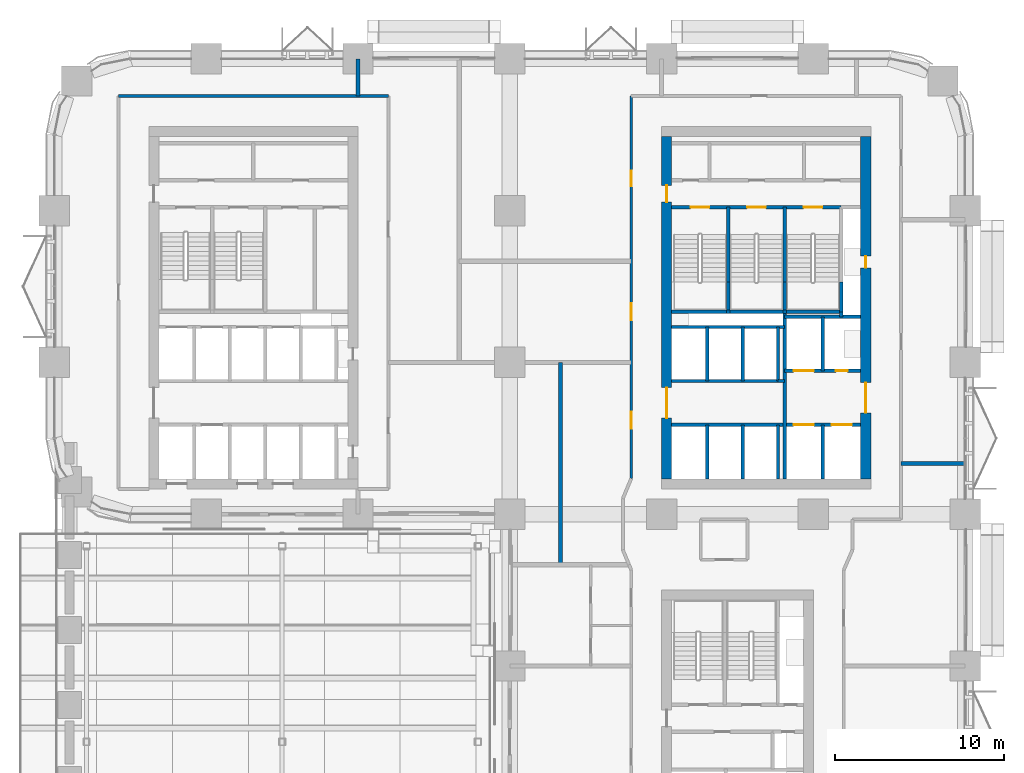
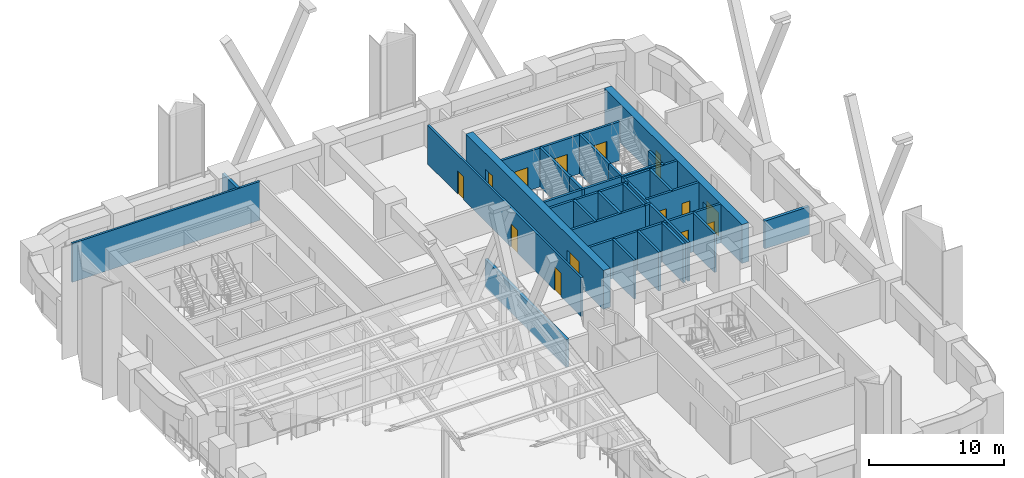
# One storey, part 16 of 22: 34 walls, 14 doors, 14 openings.
"""IFC4 building model written with IfcOpenShell, lengths in metres."""

import ifcopenshell
import ifcopenshell.guid

model = None  # the IFC model being written
_history = None  # IfcOwnerHistory: only IFC2X3 demands one
_inside = {}  # id of a spatial element -> (the spatial element, [elements in it])
_under = {}  # id of a project, library or spatial element -> (it, [spatial elements below it])
_declared = {}  # id of a project -> (the project, [libraries it declares])
_typed = {}  # id of a type object -> (the type object, [elements of that type])
_made_of = {}  # id of a material, layer set ... -> (it, [elements and type objects made of it])


def new_model(schema):
    """Start an empty IFC model of exactly this schema.

    Asked for "IFC4X3", IfcOpenShell would pick the latest addendum, in which some entities
    have other attributes; the version numbers below select the first issue.
    IFC2X3 requires an IfcOwnerHistory on every rooted entity: one is made here for all.
    """
    global model, _history
    if schema == "IFC4X3":
        model = ifcopenshell.file(schema_version=(4, 3, 0, 0))
    else:
        model = ifcopenshell.file(schema=schema)
    _inside.clear()
    _under.clear()
    _declared.clear()
    _typed.clear()
    _made_of.clear()
    _history = None
    if model.schema == "IFC2X3":
        org = make("IfcOrganization", Name="unknown")
        user = make(
            "IfcPersonAndOrganization",
            ThePerson=make("IfcPerson", FamilyName="unknown"),
            TheOrganization=org,
        )
        app = make(
            "IfcApplication",
            ApplicationDeveloper=org,
            Version="unknown",
            ApplicationFullName="unknown",
            ApplicationIdentifier="unknown",
        )
        _history = make(
            "IfcOwnerHistory",
            OwningUser=user,
            OwningApplication=app,
            ChangeAction="ADDED",
            CreationDate=0,
        )
    return model


def make(cls, **values):
    """One entity of the class cls with the attributes given. An attribute that is None is left unset."""
    return model.create_entity(
        cls, **{name: value for name, value in values.items() if value is not None}
    )


def rooted(cls, **values):
    """An entity with a GlobalId (a new one), such as an element, a storey or a relation."""
    return make(cls, GlobalId=ifcopenshell.guid.new(), OwnerHistory=_history, **values)


def si_unit(unit_type, name, prefix=None):
    """IfcSIUnit, for example si_unit("LENGTHUNIT", "METRE", prefix="MILLI")."""
    return make("IfcSIUnit", UnitType=unit_type, Prefix=prefix, Name=name)


def assignment(units):
    """IfcUnitAssignment: the units of a project."""
    return None if units is None else make("IfcUnitAssignment", Units=units)


def point(xyz):
    """IfcCartesianPoint."""
    return None if xyz is None else make("IfcCartesianPoint", Coordinates=xyz)


def direction(xyz):
    """IfcDirection."""
    return None if xyz is None else make("IfcDirection", DirectionRatios=xyz)


def frame(location, z_axis=None, x_axis=None):
    """IfcAxis2Placement3D, a coordinate frame: its origin and axes. An axis left out is left unset."""
    return make(
        "IfcAxis2Placement3D",
        Location=point(location),
        Axis=direction(z_axis),
        RefDirection=direction(x_axis),
    )


def frame_2d(location, x_axis=None):
    """IfcAxis2Placement2D, a coordinate frame in the plane: its origin and x axis."""
    return make(
        "IfcAxis2Placement2D", Location=point(location), RefDirection=direction(x_axis)
    )


def origin():
    """The frame at (0, 0, 0) with its axes left unset."""
    return frame((0.0, 0.0, 0.0))


def place(relative_to, where):
    """IfcLocalPlacement: puts the frame where relative to a parent placement (None: the world)."""
    return make(
        "IfcLocalPlacement", PlacementRelTo=relative_to, RelativePlacement=where
    )


def context(
    kind, dimensions, precision=None, world=None, true_north=None, identifier=None
):
    """IfcGeometricRepresentationContext, for example the 3D "Model" context."""
    return make(
        "IfcGeometricRepresentationContext",
        ContextIdentifier=identifier,
        ContextType=kind,
        CoordinateSpaceDimension=dimensions,
        Precision=precision,
        WorldCoordinateSystem=world,
        TrueNorth=true_north,
    )


def subcontext(parent, identifier, kind, view, scale=None):
    """IfcGeometricRepresentationSubContext, for example "Body" below "Model"."""
    return make(
        "IfcGeometricRepresentationSubContext",
        ContextIdentifier=identifier,
        ContextType=kind,
        ParentContext=parent,
        TargetScale=scale,
        TargetView=view,
    )


def project(units=None, contexts=None):
    """IfcProject with its units and contexts."""
    return rooted(
        "IfcProject",
        Name="project",
        RepresentationContexts=contexts,
        UnitsInContext=assignment(units),
    )


def spatial(cls, under=None, at=None, **own):
    """A site, building, storey or space (cls), placed at a placement, below another one or the project."""
    s = rooted(cls, ObjectPlacement=at, **own)
    if under is not None:
        _under.setdefault(under.id(), (under, []))[1].append(s)
    return s


def profile(cls, at=None, kind="AREA", **sizes):
    """A parametric profile (cls). Its sizes go by their IFC names, for example OverallWidth=200.0."""
    return make(cls, ProfileType=kind, Position=at, **sizes)


def rectangle(**sizes):
    """IfcRectangleProfileDef."""
    return profile("IfcRectangleProfileDef", **sizes)


def extrude(swept, where, along, depth):
    """IfcExtrudedAreaSolid: the profile swept, set in the frame where, extruded along a direction by depth."""
    return make(
        "IfcExtrudedAreaSolid",
        SweptArea=swept,
        Position=where,
        ExtrudedDirection=direction(along),
        Depth=depth,
    )


def shape(context_of_items, identifier, shape_type, items):
    """IfcShapeRepresentation: the items that make up one representation, for example the "Body"."""
    return make(
        "IfcShapeRepresentation",
        ContextOfItems=context_of_items,
        RepresentationIdentifier=identifier,
        RepresentationType=shape_type,
        Items=items,
    )


def material(Name=None, Category=None):
    """IfcMaterial."""
    return make("IfcMaterial", Name=Name, Category=Category)


def layer(
    of_material, thickness, ventilated=None, Name=None, Category=None, Priority=None
):
    """IfcMaterialLayer: one layer of a wall or slab, of a material (None: an air gap)."""
    return make(
        "IfcMaterialLayer",
        Material=of_material,
        LayerThickness=thickness,
        IsVentilated=ventilated,
        Name=Name,
        Category=Category,
        Priority=Priority,
    )


def layer_set(layers, Name=None):
    """IfcMaterialLayerSet."""
    return make("IfcMaterialLayerSet", MaterialLayers=layers, LayerSetName=Name)


def made_of(thing, what):
    """Note that an element or type object is made of a material, layer set ...; save() writes the relation."""
    if what is not None:
        _made_of.setdefault(what.id(), (what, []))[1].append(thing)
    return thing


def type_object(cls, material=None, **own):
    """A type object (cls), such as IfcWallType, which elements share."""
    return made_of(rooted(cls, **own), material)


def element(
    cls,
    number,
    at=None,
    inside=None,
    cuts=None,
    type_object=None,
    material=None,
    context=None,
    identifier="Body",
    shape_type=None,
    held_by="IfcProductDefinitionShape",
    body=None,
    shapes=None,
    **own,
):
    """One element of the class cls, such as IfcWall. Its Tag is "e" and its number.

    at: its placement. inside: the storey or other place that contains it. cuts: it is an
    opening in that element (IfcRelVoidsElement). A single representation is given by context,
    identifier, shape_type and body (its items); several are given by shapes. held_by: the class
    of the entity that holds the representations. save() writes the other relations.
    """
    e = rooted(cls, Tag="e%d" % number, ObjectPlacement=at, **own)
    if body is not None:
        shapes = [shape(context, identifier, shape_type, body)]
    if shapes is not None:
        e.Representation = make(held_by, Representations=shapes)
    if inside is not None:
        _inside.setdefault(inside.id(), (inside, []))[1].append(e)
    if cuts is not None:
        rooted(
            "IfcRelVoidsElement", RelatingBuildingElement=cuts, RelatedOpeningElement=e
        )
    if type_object is not None:
        _typed.setdefault(type_object.id(), (type_object, []))[1].append(e)
    return made_of(e, material)


def fill(opening, filler):
    """IfcRelFillsElement: the door or window that sits in an opening."""
    return rooted(
        "IfcRelFillsElement",
        RelatingOpeningElement=opening,
        RelatedBuildingElement=filler,
    )


def aggregate(whole, parts):
    """IfcRelAggregates: a whole, such as a stair, and the parts it consists of."""
    return rooted("IfcRelAggregates", RelatingObject=whole, RelatedObjects=parts)


def save(model, path):
    """Write the relations noted so far, then the file.

    IfcRelAggregates (storeys below a building ...), IfcRelContainedInSpatialStructure (elements
    in a storey), IfcRelDefinesByType, IfcRelAssociatesMaterial and IfcRelDeclares: one each for
    every whole, place, type object, material and project.
    """
    for whole, parts in _under.values():
        aggregate(whole, parts)
    for where, things in _inside.values():
        rooted(
            "IfcRelContainedInSpatialStructure",
            RelatedElements=things,
            RelatingStructure=where,
        )
    for kind, things in _typed.values():
        rooted("IfcRelDefinesByType", RelatedObjects=things, RelatingType=kind)
    for what, things in _made_of.values():
        rooted("IfcRelAssociatesMaterial", RelatedObjects=things, RelatingMaterial=what)
    for by, libraries in _declared.values():
        rooted("IfcRelDeclares", RelatingContext=by, RelatedDefinitions=libraries)
    model.write(path)


model = new_model("IFC4")

# Units and contexts
model_context = context("Model", 3, precision=1e-05, world=origin(), true_north=direction((0.0, 1.0)))
body_context = subcontext(model_context, "Body", "Model", "MODEL_VIEW")
ifc_project = project(units=[si_unit("LENGTHUNIT", "METRE"), si_unit("AREAUNIT", "SQUARE_METRE"), si_unit("VOLUMEUNIT", "CUBIC_METRE"), si_unit("PLANEANGLEUNIT", "RADIAN"), si_unit("MASSUNIT", "GRAM", prefix="KILO")], contexts=[model_context])

# Site, building, storey
site_placement = place(None, origin())
site = spatial("IfcSite", under=ifc_project, at=site_placement, CompositionType="ELEMENT")
building_placement = place(site_placement, origin())
building = spatial("IfcBuilding", under=site, at=building_placement, Name="Tessera Arch", CompositionType="ELEMENT")
storey_placement = place(building_placement, frame((0.0, 0.0, 77.800048828125)))
storey = spatial("IfcBuildingStorey", under=building, at=storey_placement, Name="L17", CompositionType="ELEMENT", Elevation=77.800048828125)

# Wall
ifc_material_1 = material(Name="Gypsum board on steel stud", Category="steel")
ifc_layer_1 = layer(ifc_material_1, 0.125)
ifc_layer_set_1 = layer_set([ifc_layer_1], Name="Core partition 125 EI 60")
wall_type_1 = type_object("IfcWallType", Name="Core partition 125 EI 60", PredefinedType="PARTITIONING", material=ifc_layer_set_1)
wall_1_placement = place(storey_placement, frame((42.89990234375, 34.89990234375, 0.0), z_axis=(0.0, 0.0, 1.0), x_axis=(1.0, 0.0, 0.0)))
element("IfcWall", 1, at=wall_1_placement, inside=storey, type_object=wall_type_1, Name="L17 C1 partition wall 20", PredefinedType="PARTITIONING", context=body_context, shape_type="SweptSolid", body=[
    extrude(rectangle(XDim=0.400146484375, YDim=0.199951171875, at=frame_2d((0.2001953125, 0.0))), origin(), (0.0, 0.0, 1.0), 3.5),
])

# Wall, openings, doors
ifc_material_2 = material(Name="Concrete C70/85", Category="concrete")
ifc_layer_2 = layer(ifc_material_2, 0.60009765625)
ifc_layer_set_2 = layer_set([ifc_layer_2], Name="Core shell wall 600 C70-85")
wall_type_2 = type_object("IfcWallType", Name="Core shell wall 600 C70-85", PredefinedType="SHEAR", material=ifc_layer_set_2)
wall_2_placement = place(storey_placement, frame((36.300048828125, 29.10009765625, 0.0), z_axis=(0.0, 0.0, 1.0), x_axis=(0.0, 1.0, 0.0)))
wall_2 = element("IfcWall", 2, at=wall_2_placement, inside=storey, type_object=wall_type_2, Name="L17 C1 core wall W", PredefinedType="SHEAR", context=body_context, shape_type="SweptSolid", body=[
    extrude(rectangle(XDim=20.2998046875, YDim=0.60009765625, at=frame_2d((10.14990234375, 0.0))), origin(), (0.0, 0.0, 1.0), 3.5),
])
opening_1_placement = place(wall_2_placement, frame((3.60009765625, 0.0, 0.0)))
opening_1 = element("IfcOpeningElement", 3, at=opening_1_placement, cuts=wall_2, Name="Opening L17-C04", PredefinedType="OPENING", context=body_context, shape_type="SweptSolid", body=[
    extrude(rectangle(XDim=1.800048828125, YDim=2.10009765625, at=frame_2d((0.89990234375, 1.050048828125))), frame((0.0, 0.31005859375, 0.0), z_axis=(0.0, -1.0, 0.0), x_axis=(1.0, 0.0, 0.0)), (0.0, 0.0, 1.0), 0.6201171875),
])
opening_2_placement = place(wall_2_placement, frame((16.39990234375, 0.0, 0.0)))
opening_2 = element("IfcOpeningElement", 4, at=opening_2_placement, cuts=wall_2, Name="Opening L17-C11", PredefinedType="OPENING", context=body_context, shape_type="SweptSolid", body=[
    extrude(rectangle(XDim=1.0, YDim=2.10009765625, at=frame_2d((0.5, 1.050048828125))), frame((0.0, 0.31005859375, 0.0), z_axis=(0.0, -1.0, 0.0), x_axis=(1.0, 0.0, 0.0)), (0.0, 0.0, 1.0), 0.6201171875),
])
ifc_material_3 = material(Name="Steel door leaf", Category="steel")
door_type_1 = type_object("IfcDoorType", Name="Corridor door FD60 1000 x 2100", OperationType="SINGLE_SWING_LEFT", PredefinedType="DOOR", material=ifc_material_3)
door_1_placement = place(opening_2_placement, origin())
door_1 = element("IfcDoor", 5, at=door_1_placement, inside=storey, type_object=door_type_1, Name="L17 C1 door 11 C11 type D12", OperationType="SINGLE_SWING_RIGHT", OverallHeight=2.10009765625, OverallWidth=1.0, PredefinedType="DOOR", context=body_context, shape_type="SweptSolid", body=[
    extrude(rectangle(XDim=1.0, YDim=2.10009765625, at=frame_2d((0.5, 1.050048828125))), frame((0.0, 0.02490234375, 0.0), z_axis=(0.0, -1.0, 0.0), x_axis=(1.0, 0.0, 0.0)), (0.0, 0.0, 1.0), 0.050048828125),
])
fill(opening_2, door_1)
ifc_material_4 = material(Name="Glazed steel door leaf", Category="steel")
door_type_2 = type_object("IfcDoorType", Name="Lobby double door FD30S 1800 x 2100", OperationType="DOUBLE_DOOR_SINGLE_SWING", PredefinedType="DOOR", material=ifc_material_4)
door_2_placement = place(opening_1_placement, origin())
door_2 = element("IfcDoor", 6, at=door_2_placement, inside=storey, type_object=door_type_2, Name="L17 C1 door 4 C04 type D06", OperationType="DOUBLE_DOOR_SINGLE_SWING", OverallHeight=2.10009765625, OverallWidth=1.800048828125, PredefinedType="DOOR", context=body_context, shape_type="SweptSolid", body=[
    extrude(rectangle(XDim=1.800048828125, YDim=2.10009765625, at=frame_2d((0.89990234375, 1.050048828125))), frame((0.0, 0.02490234375, 0.0), z_axis=(0.0, -1.0, 0.0), x_axis=(1.0, 0.0, 0.0)), (0.0, 0.0, 1.0), 0.050048828125),
])
fill(opening_1, door_2)

wall_3_placement = place(storey_placement, frame((48.10009765625, 29.10009765625, 0.0), z_axis=(0.0, 0.0, 1.0), x_axis=(0.0, 1.0, 0.0)))
wall_3 = element("IfcWall", 7, at=wall_3_placement, inside=storey, type_object=wall_type_2, Name="L17 C1 core wall E", PredefinedType="SHEAR", context=body_context, shape_type="SweptSolid", body=[
    extrude(rectangle(XDim=20.2998046875, YDim=0.60009765625, at=frame_2d((10.14990234375, 0.0))), origin(), (0.0, 0.0, 1.0), 3.5),
])
opening_3_placement = place(wall_3_placement, frame((12.5, 0.0, 0.0)))
opening_3 = element("IfcOpeningElement", 8, at=opening_3_placement, cuts=wall_3, Name="Opening L17-C08", PredefinedType="OPENING", context=body_context, shape_type="SweptSolid", body=[
    extrude(rectangle(XDim=0.699951171875, YDim=2.10009765625, at=frame_2d((0.35009765625, 1.050048828125))), frame((0.0, 0.31005859375, 0.0), z_axis=(0.0, -1.0, 0.0), x_axis=(1.0, 0.0, 0.0)), (0.0, 0.0, 1.0), 0.6201171875),
])
opening_4_placement = place(wall_3_placement, frame((3.89990234375, 0.0, 0.0)))
opening_4 = element("IfcOpeningElement", 9, at=opening_4_placement, cuts=wall_3, Name="Opening L17-C09", PredefinedType="OPENING", context=body_context, shape_type="SweptSolid", body=[
    extrude(rectangle(XDim=1.800048828125, YDim=2.10009765625, at=frame_2d((0.89990234375, 1.050048828125))), frame((0.0, 0.31005859375, 0.0), z_axis=(0.0, -1.0, 0.0), x_axis=(1.0, 0.0, 0.0)), (0.0, 0.0, 1.0), 0.6201171875),
])
ifc_material_5 = material(Name="Glazed steel door leaf", Category="steel")
door_type_3 = type_object("IfcDoorType", Name="Lobby double door FD60 1800 x 2100", OperationType="DOUBLE_DOOR_SINGLE_SWING", PredefinedType="DOOR", material=ifc_material_5)
door_3_placement = place(opening_4_placement, origin())
door_3 = element("IfcDoor", 10, at=door_3_placement, inside=storey, type_object=door_type_3, Name="L17 C1 door 9 C09 type D19", OperationType="DOUBLE_DOOR_SINGLE_SWING", OverallHeight=2.10009765625, OverallWidth=1.800048828125, PredefinedType="DOOR", context=body_context, shape_type="SweptSolid", body=[
    extrude(rectangle(XDim=1.800048828125, YDim=2.10009765625, at=frame_2d((0.89990234375, 1.050048828125))), frame((0.0, 0.02490234375, 0.0), z_axis=(0.0, -1.0, 0.0), x_axis=(1.0, 0.0, 0.0)), (0.0, 0.0, 1.0), 0.050048828125),
])
fill(opening_4, door_3)
ifc_material_6 = material(Name="Steel door leaf", Category="steel")
door_type_4 = type_object("IfcDoorType", Name="Service shaft door FD60 700 x 2100", OperationType="SINGLE_SWING_LEFT", PredefinedType="DOOR", material=ifc_material_6)
door_4_placement = place(opening_3_placement, origin())
door_4 = element("IfcDoor", 11, at=door_4_placement, inside=storey, type_object=door_type_4, Name="L17 C1 door 8 C08 type D07", OperationType="SINGLE_SWING_RIGHT", OverallHeight=2.10009765625, OverallWidth=0.699951171875, PredefinedType="DOOR", context=body_context, shape_type="SweptSolid", body=[
    extrude(rectangle(XDim=0.699951171875, YDim=2.10009765625, at=frame_2d((0.35009765625, 1.050048828125))), frame((0.0, 0.02490234375, 0.0), z_axis=(0.0, -1.0, 0.0), x_axis=(1.0, 0.0, 0.0)), (0.0, 0.0, 1.0), 0.050048828125),
])
fill(opening_3, door_4)

# Wall
ifc_material_7 = material(Name="Gypsum board on deep steel stud with mineral wool", Category="steel")
ifc_layer_3 = layer(ifc_material_7, 0.175048828125)
ifc_layer_set_3 = layer_set([ifc_layer_3], Name="Corridor wall 175 EI 60")
wall_type_3 = type_object("IfcWallType", Name="Corridor wall 175 EI 60", PredefinedType="PARTITIONING", material=ifc_layer_set_3)
wall_4_placement = place(storey_placement, frame((3.800048828125, 51.800048828125, 0.0), z_axis=(0.0, 0.0, 1.0), x_axis=(1.0, 0.0, 0.0)))
element("IfcWall", 12, at=wall_4_placement, inside=storey, type_object=wall_type_3, Name="L17 partition 7", PredefinedType="PARTITIONING", context=body_context, shape_type="SweptSolid", body=[
    extrude(rectangle(XDim=16.0, YDim=0.175048828125, at=frame_2d((8.0, 0.0))), origin(), (0.0, 0.0, 1.0), 3.5),
])

# Wall, openings, doors
wall_5_placement = place(storey_placement, frame((34.199951171875, 29.1201171875, 0.0), z_axis=(0.0, 0.0, 1.0), x_axis=(0.0, 1.0, 0.0)))
wall_5 = element("IfcWall", 13, at=wall_5_placement, inside=storey, type_object=wall_type_3, Name="L17 partition 13", PredefinedType="PARTITIONING", context=body_context, shape_type="SweptSolid", body=[
    extrude(rectangle(XDim=22.679931640625, YDim=0.175048828125, at=frame_2d((11.33984375, 0.0))), origin(), (0.0, 0.0, 1.0), 3.5),
])
opening_5_placement = place(wall_5_placement, frame((2.93994140625, 0.0, 0.0)))
opening_5 = element("IfcOpeningElement", 14, at=opening_5_placement, cuts=wall_5, Name="Opening L17-D008", PredefinedType="OPENING", context=body_context, shape_type="SweptSolid", body=[
    extrude(rectangle(XDim=1.0, YDim=2.10009765625, at=frame_2d((0.5, 1.050048828125))), frame((0.0, 0.097412109375, 0.0), z_axis=(0.0, -1.0, 0.0), x_axis=(1.0, 0.0, 0.0)), (0.0, 0.0, 1.0), 0.195068359375),
])
opening_6_placement = place(wall_5_placement, frame((9.3798828125, 0.0, 0.0)))
opening_6 = element("IfcOpeningElement", 15, at=opening_6_placement, cuts=wall_5, Name="Opening L17-D011", PredefinedType="OPENING", context=body_context, shape_type="SweptSolid", body=[
    extrude(rectangle(XDim=1.0, YDim=2.10009765625, at=frame_2d((0.5, 1.050048828125))), frame((0.0, 0.097412109375, 0.0), z_axis=(0.0, -1.0, 0.0), x_axis=(1.0, 0.0, 0.0)), (0.0, 0.0, 1.0), 0.195068359375),
])
opening_7_placement = place(wall_5_placement, frame((17.330078125, 0.0, 0.0)))
opening_7 = element("IfcOpeningElement", 16, at=opening_7_placement, cuts=wall_5, Name="Opening L17-D014", PredefinedType="OPENING", context=body_context, shape_type="SweptSolid", body=[
    extrude(rectangle(XDim=0.89990234375, YDim=2.10009765625, at=frame_2d((0.449951171875, 1.050048828125))), frame((0.0, 0.097412109375, 0.0), z_axis=(0.0, -1.0, 0.0), x_axis=(1.0, 0.0, 0.0)), (0.0, 0.0, 1.0), 0.195068359375),
])
ifc_material_8 = material(Name="Fire-rated door leaf")
door_type_5 = type_object("IfcDoorType", Name="Entrance door FD30S 1000 x 2100", OperationType="SINGLE_SWING_LEFT", PredefinedType="DOOR", material=ifc_material_8)
door_5_placement = place(opening_5_placement, origin())
door_5 = element("IfcDoor", 17, at=door_5_placement, inside=storey, type_object=door_type_5, Name="L17 door D008 type D03", OperationType="SINGLE_SWING_RIGHT", OverallHeight=2.10009765625, OverallWidth=1.0, PredefinedType="DOOR", context=body_context, shape_type="SweptSolid", body=[
    extrude(rectangle(XDim=1.0, YDim=2.10009765625, at=frame_2d((0.5, 1.050048828125))), frame((0.0, 0.02490234375, 0.0), z_axis=(0.0, -1.0, 0.0), x_axis=(1.0, 0.0, 0.0)), (0.0, 0.0, 1.0), 0.050048828125),
])
fill(opening_5, door_5)
door_6_placement = place(opening_6_placement, origin())
door_6 = element("IfcDoor", 18, at=door_6_placement, inside=storey, type_object=door_type_5, Name="L17 door D011 type D03", OperationType="SINGLE_SWING_LEFT", OverallHeight=2.10009765625, OverallWidth=1.0, PredefinedType="DOOR", context=body_context, shape_type="SweptSolid", body=[
    extrude(rectangle(XDim=1.0, YDim=2.10009765625, at=frame_2d((0.5, 1.050048828125))), frame((0.0, 0.02490234375, 0.0), z_axis=(0.0, -1.0, 0.0), x_axis=(1.0, 0.0, 0.0)), (0.0, 0.0, 1.0), 0.050048828125),
])
fill(opening_6, door_6)
ifc_material_9 = material(Name="Timber door leaf", Category="wood")
door_type_6 = type_object("IfcDoorType", Name="Room door 900 x 2100", OperationType="SINGLE_SWING_LEFT", PredefinedType="DOOR", material=ifc_material_9)
door_7_placement = place(opening_7_placement, origin())
door_7 = element("IfcDoor", 19, at=door_7_placement, inside=storey, type_object=door_type_6, Name="L17 door D014 type D01", OperationType="SINGLE_SWING_RIGHT", OverallHeight=2.10009765625, OverallWidth=0.89990234375, PredefinedType="DOOR", context=body_context, shape_type="SweptSolid", body=[
    extrude(rectangle(XDim=0.89990234375, YDim=2.10009765625, at=frame_2d((0.449951171875, 1.050048828125))), frame((0.0, 0.02490234375, 0.0), z_axis=(0.0, -1.0, 0.0), x_axis=(1.0, 0.0, 0.0)), (0.0, 0.0, 1.0), 0.050048828125),
])
fill(opening_7, door_7)

# Walls
ifc_material_10 = material(Name="Double gypsum board on twin steel stud with acoustic mineral wool", Category="steel")
ifc_layer_4 = layer(ifc_material_10, 0.25)
ifc_layer_set_4 = layer_set([ifc_layer_4], Name="Party wall 250 EI 60")
wall_type_4 = type_object("IfcWallType", Name="Party wall 250 EI 60", PredefinedType="PARTITIONING", material=ifc_layer_set_4)
wall_6_placement = place(storey_placement, frame((50.199951171875, 30.0, 0.0), z_axis=(0.0, 0.0, 1.0), x_axis=(1.0, 0.0, 0.0)))
element("IfcWall", 20, at=wall_6_placement, inside=storey, type_object=wall_type_4, Name="L17 partition 23", PredefinedType="PARTITIONING", context=body_context, shape_type="SweptSolid", body=[
    extrude(rectangle(XDim=3.800048828125, YDim=0.25, at=frame_2d((1.89990234375, 0.0))), origin(), (0.0, 0.0, 1.0), 2.5),
])
wall_7_placement = place(storey_placement, frame((18.0, 51.800048828125, 0.0), z_axis=(0.0, 0.0, 1.0), x_axis=(0.0, 1.0, 0.0)))
element("IfcWall", 21, at=wall_7_placement, inside=storey, type_object=wall_type_4, Name="L17 partition 28", PredefinedType="PARTITIONING", context=body_context, shape_type="SweptSolid", body=[
    extrude(rectangle(XDim=2.199951171875, YDim=0.25, at=frame_2d((1.10009765625, 0.0))), origin(), (0.0, 0.0, 1.0), 3.5),
])
wall_8_placement = place(storey_placement, frame((30.0, 24.0, 0.0), z_axis=(0.0, 0.0, 1.0), x_axis=(0.0, 1.0, 0.0)))
element("IfcWall", 22, at=wall_8_placement, inside=storey, type_object=wall_type_4, Name="L17 partition 30", PredefinedType="PARTITIONING", context=body_context, shape_type="SweptSolid", body=[
    extrude(rectangle(XDim=12.0, YDim=0.25, at=frame_2d((6.0, 0.0))), origin(), (0.0, 0.0, 1.0), 2.5),
])
ifc_material_11 = material(Name="Concrete C40/50", Category="concrete")
ifc_layer_5 = layer(ifc_material_11, 0.199951171875)
ifc_layer_set_5 = layer_set([ifc_layer_5], Name="Shaft wall 200 EI 120")
wall_type_5 = type_object("IfcWallType", Name="Shaft wall 200 EI 120", PredefinedType="SOLIDWALL", material=ifc_layer_set_5)
wall_9_placement = place(storey_placement, frame((38.699951171875, 29.10009765625, 0.0), z_axis=(0.0, 0.0, 1.0), x_axis=(0.0, 1.0, 0.0)))
element("IfcWall", 23, at=wall_9_placement, inside=storey, type_object=wall_type_5, Name="L17 C1 shaft wall 1", PredefinedType="SOLIDWALL", context=body_context, shape_type="SweptSolid", body=[
    extrude(rectangle(XDim=3.199951171875, YDim=0.199951171875, at=frame_2d((1.60009765625, 0.0))), origin(), (0.0, 0.0, 1.0), 3.5),
])
wall_10_placement = place(storey_placement, frame((38.699951171875, 34.89990234375, 0.0), z_axis=(0.0, 0.0, 1.0), x_axis=(0.0, 1.0, 0.0)))
element("IfcWall", 24, at=wall_10_placement, inside=storey, type_object=wall_type_5, Name="L17 C1 shaft wall 2", PredefinedType="SOLIDWALL", context=body_context, shape_type="SweptSolid", body=[
    extrude(rectangle(XDim=3.2001953125, YDim=0.199951171875, at=frame_2d((1.60009765625, 0.0))), origin(), (0.0, 0.0, 1.0), 3.5),
])
wall_11_placement = place(storey_placement, frame((40.800048828125, 29.10009765625, 0.0), z_axis=(0.0, 0.0, 1.0), x_axis=(0.0, 1.0, 0.0)))
element("IfcWall", 25, at=wall_11_placement, inside=storey, type_object=wall_type_5, Name="L17 C1 shaft wall 6", PredefinedType="SOLIDWALL", context=body_context, shape_type="SweptSolid", body=[
    extrude(rectangle(XDim=3.199951171875, YDim=0.199951171875, at=frame_2d((1.60009765625, 0.0))), origin(), (0.0, 0.0, 1.0), 3.5),
])
wall_12_placement = place(storey_placement, frame((40.800048828125, 34.89990234375, 0.0), z_axis=(0.0, 0.0, 1.0), x_axis=(0.0, 1.0, 0.0)))
element("IfcWall", 26, at=wall_12_placement, inside=storey, type_object=wall_type_5, Name="L17 C1 shaft wall 7", PredefinedType="SOLIDWALL", context=body_context, shape_type="SweptSolid", body=[
    extrude(rectangle(XDim=3.2001953125, YDim=0.199951171875, at=frame_2d((1.60009765625, 0.0))), origin(), (0.0, 0.0, 1.0), 3.5),
])
wall_13_placement = place(storey_placement, frame((42.89990234375, 29.10009765625, 0.0), z_axis=(0.0, 0.0, 1.0), x_axis=(0.0, 1.0, 0.0)))
element("IfcWall", 27, at=wall_13_placement, inside=storey, type_object=wall_type_5, Name="L17 C1 shaft wall 8", PredefinedType="SOLIDWALL", context=body_context, shape_type="SweptSolid", body=[
    extrude(rectangle(XDim=3.199951171875, YDim=0.199951171875, at=frame_2d((1.60009765625, 0.0))), origin(), (0.0, 0.0, 1.0), 3.5),
])
wall_14_placement = place(storey_placement, frame((42.89990234375, 34.89990234375, 0.0), z_axis=(0.0, 0.0, 1.0), x_axis=(0.0, 1.0, 0.0)))
element("IfcWall", 28, at=wall_14_placement, inside=storey, type_object=wall_type_5, Name="L17 C1 shaft wall 9", PredefinedType="SOLIDWALL", context=body_context, shape_type="SweptSolid", body=[
    extrude(rectangle(XDim=3.2001953125, YDim=0.199951171875, at=frame_2d((1.60009765625, 0.0))), origin(), (0.0, 0.0, 1.0), 3.5),
])
wall_15_placement = place(storey_placement, frame((43.300048828125, 29.10009765625, 0.0), z_axis=(0.0, 0.0, 1.0), x_axis=(0.0, 1.0, 0.0)))
element("IfcWall", 29, at=wall_15_placement, inside=storey, type_object=wall_type_5, Name="L17 C1 shaft wall 10", PredefinedType="SOLIDWALL", context=body_context, shape_type="SweptSolid", body=[
    extrude(rectangle(XDim=9.89990234375, YDim=0.199951171875, at=frame_2d((4.949951171875, 0.0))), origin(), (0.0, 0.0, 1.0), 3.5),
])
for number, where, z_axis, x_axis, name in (
    (30, (45.550048828125, 29.10009765625, 0.0), (0.0, 0.0, 1.0), (0.0, 1.0, 0.0), "L17 C1 shaft wall 14"),
    (31, (45.550048828125, 35.5, 0.0), (0.0, 0.0, 1.0), (0.0, 1.0, 0.0), "L17 C1 shaft wall 15"),
):
    element("IfcWall", number, at=place(storey_placement, frame(where, z_axis=z_axis, x_axis=x_axis)), inside=storey, type_object=wall_type_5, Name=name, PredefinedType="SOLIDWALL", context=body_context, shape_type="SweptSolid", body=[
        extrude(rectangle(XDim=3.199951171875, YDim=0.199951171875, at=frame_2d((1.60009765625, 0.0))), origin(), (0.0, 0.0, 1.0), 3.5),
    ])
wall_16_placement = place(storey_placement, frame((46.64990234375, 38.699951171875, 0.0), z_axis=(0.0, 0.0, 1.0), x_axis=(0.0, 1.0, 0.0)))
element("IfcWall", 32, at=wall_16_placement, inside=storey, type_object=wall_type_5, Name="L17 C1 shaft wall 16", PredefinedType="SOLIDWALL", context=body_context, shape_type="SweptSolid", body=[
    extrude(rectangle(XDim=0.300048828125, YDim=0.199951171875, at=frame_2d((0.14990234375, 0.0))), origin(), (0.0, 0.0, 1.0), 3.5),
])

# Wall, openings, doors
wall_17_placement = place(storey_placement, frame((36.60009765625, 32.300048828125, 0.0), z_axis=(0.0, 0.0, 1.0), x_axis=(1.0, 0.0, 0.0)))
wall_17 = element("IfcWall", 33, at=wall_17_placement, inside=storey, type_object=wall_type_5, Name="L17 C1 shaft wall 19", PredefinedType="SOLIDWALL", context=body_context, shape_type="SweptSolid", body=[
    extrude(rectangle(XDim=11.199951171875, YDim=0.199951171875, at=frame_2d((5.60009765625, 0.0))), origin(), (0.0, 0.0, 1.0), 3.5),
])
opening_8_placement = place(wall_17_placement, frame((7.22509765625, 0.0, 0.0)))
opening_8 = element("IfcOpeningElement", 34, at=opening_8_placement, cuts=wall_17, Name="Opening L17-C01", PredefinedType="OPENING", context=body_context, shape_type="SweptSolid", body=[
    extrude(rectangle(XDim=1.199951171875, YDim=2.10009765625, at=frame_2d((0.60009765625, 1.050048828125))), frame((0.0, 0.10986328125, 0.0), z_axis=(0.0, -1.0, 0.0), x_axis=(1.0, 0.0, 0.0)), (0.0, 0.0, 1.0), 0.219970703125),
])
opening_9_placement = place(wall_17_placement, frame((9.47509765625, 0.0, 0.0)))
opening_9 = element("IfcOpeningElement", 35, at=opening_9_placement, cuts=wall_17, Name="Opening L17-C02", PredefinedType="OPENING", context=body_context, shape_type="SweptSolid", body=[
    extrude(rectangle(XDim=1.199951171875, YDim=2.10009765625, at=frame_2d((0.60009765625, 1.050048828125))), frame((0.0, 0.10986328125, 0.0), z_axis=(0.0, -1.0, 0.0), x_axis=(1.0, 0.0, 0.0)), (0.0, 0.0, 1.0), 0.219970703125),
])
ifc_material_12 = material(Name="Stainless steel AISI 304", Category="steel")
door_type_7 = type_object("IfcDoorType", Name="Sliding landing door 1200 x 2100", OperationType="SLIDING_TO_LEFT", PredefinedType="DOOR", material=ifc_material_12)
door_8_placement = place(opening_8_placement, origin())
door_8 = element("IfcDoor", 36, at=door_8_placement, inside=storey, type_object=door_type_7, Name="L17 FF1 lift landing door C01 type LD", OperationType="SLIDING_TO_LEFT", OverallHeight=2.10009765625, OverallWidth=1.199951171875, PredefinedType="DOOR", context=body_context, shape_type="SweptSolid", body=[
    extrude(rectangle(XDim=1.199951171875, YDim=2.10009765625, at=frame_2d((0.60009765625, 1.050048828125))), frame((0.0, 0.02490234375, 0.0), z_axis=(0.0, -1.0, 0.0), x_axis=(1.0, 0.0, 0.0)), (0.0, 0.0, 1.0), 0.050048828125),
])
fill(opening_8, door_8)
door_9_placement = place(opening_9_placement, origin())
door_9 = element("IfcDoor", 37, at=door_9_placement, inside=storey, type_object=door_type_7, Name="L17 FF2 lift landing door C02 type LD", OperationType="SLIDING_TO_LEFT", OverallHeight=2.10009765625, OverallWidth=1.199951171875, PredefinedType="DOOR", context=body_context, shape_type="SweptSolid", body=[
    extrude(rectangle(XDim=1.199951171875, YDim=2.10009765625, at=frame_2d((0.60009765625, 1.050048828125))), frame((0.0, 0.02490234375, 0.0), z_axis=(0.0, -1.0, 0.0), x_axis=(1.0, 0.0, 0.0)), (0.0, 0.0, 1.0), 0.050048828125),
])
fill(opening_9, door_9)

# Wall
wall_18_placement = place(storey_placement, frame((36.60009765625, 34.89990234375, 0.0), z_axis=(0.0, 0.0, 1.0), x_axis=(1.0, 0.0, 0.0)))
element("IfcWall", 38, at=wall_18_placement, inside=storey, type_object=wall_type_5, Name="L17 C1 shaft wall 21", PredefinedType="SOLIDWALL", context=body_context, shape_type="SweptSolid", body=[
    extrude(rectangle(XDim=6.2998046875, YDim=0.199951171875, at=frame_2d((3.14990234375, 0.0))), origin(), (0.0, 0.0, 1.0), 3.5),
])

# Wall, openings, doors
wall_19_placement = place(storey_placement, frame((43.300048828125, 35.5, 0.0), z_axis=(0.0, 0.0, 1.0), x_axis=(1.0, 0.0, 0.0)))
wall_19 = element("IfcWall", 39, at=wall_19_placement, inside=storey, type_object=wall_type_5, Name="L17 C1 shaft wall 22", PredefinedType="SOLIDWALL", context=body_context, shape_type="SweptSolid", body=[
    extrude(rectangle(XDim=4.5, YDim=0.199951171875, at=frame_2d((2.25, 0.0))), origin(), (0.0, 0.0, 1.0), 3.5),
])
opening_10_placement = place(wall_19_placement, frame((0.52490234375, 0.0, 0.0)))
opening_10 = element("IfcOpeningElement", 40, at=opening_10_placement, cuts=wall_19, Name="Opening L17-C03", PredefinedType="OPENING", context=body_context, shape_type="SweptSolid", body=[
    extrude(rectangle(XDim=1.199951171875, YDim=2.10009765625, at=frame_2d((0.60009765625, 1.050048828125))), frame((0.0, 0.10986328125, 0.0), z_axis=(0.0, -1.0, 0.0), x_axis=(1.0, 0.0, 0.0)), (0.0, 0.0, 1.0), 0.219970703125),
])
opening_11_placement = place(wall_19_placement, frame((3.02490234375, 0.0, 0.0)))
opening_11 = element("IfcOpeningElement", 41, at=opening_11_placement, cuts=wall_19, Name="Opening L17-C10", PredefinedType="OPENING", context=body_context, shape_type="SweptSolid", body=[
    extrude(rectangle(XDim=0.699951171875, YDim=2.10009765625, at=frame_2d((0.35009765625, 1.050048828125))), frame((0.0, 0.10986328125, 0.0), z_axis=(0.0, -1.0, 0.0), x_axis=(1.0, 0.0, 0.0)), (0.0, 0.0, 1.0), 0.219970703125),
])
door_10_placement = place(opening_11_placement, origin())
door_10 = element("IfcDoor", 42, at=door_10_placement, inside=storey, type_object=door_type_4, Name="L17 C1 door 10 C10 type D07", OperationType="SINGLE_SWING_RIGHT", OverallHeight=2.10009765625, OverallWidth=0.699951171875, PredefinedType="DOOR", context=body_context, shape_type="SweptSolid", body=[
    extrude(rectangle(XDim=0.699951171875, YDim=2.10009765625, at=frame_2d((0.35009765625, 1.050048828125))), frame((0.0, 0.02490234375, 0.0), z_axis=(0.0, -1.0, 0.0), x_axis=(1.0, 0.0, 0.0)), (0.0, 0.0, 1.0), 0.050048828125),
])
fill(opening_11, door_10)
door_11_placement = place(opening_10_placement, origin())
door_11 = element("IfcDoor", 43, at=door_11_placement, inside=storey, type_object=door_type_7, Name="L17 SV2 lift landing door C03 type LD", OperationType="SLIDING_TO_LEFT", OverallHeight=2.10009765625, OverallWidth=1.199951171875, PredefinedType="DOOR", context=body_context, shape_type="SweptSolid", body=[
    extrude(rectangle(XDim=1.199951171875, YDim=2.10009765625, at=frame_2d((0.60009765625, 1.050048828125))), frame((0.0, 0.02490234375, 0.0), z_axis=(0.0, -1.0, 0.0), x_axis=(1.0, 0.0, 0.0)), (0.0, 0.0, 1.0), 0.050048828125),
])
fill(opening_10, door_11)

# Walls
wall_20_placement = place(storey_placement, frame((36.60009765625, 38.10009765625, 0.0), z_axis=(0.0, 0.0, 1.0), x_axis=(1.0, 0.0, 0.0)))
element("IfcWall", 44, at=wall_20_placement, inside=storey, type_object=wall_type_5, Name="L17 C1 shaft wall 23", PredefinedType="SOLIDWALL", context=body_context, shape_type="SweptSolid", body=[
    extrude(rectangle(XDim=6.699951171875, YDim=0.199951171875, at=frame_2d((3.35009765625, 0.0))), origin(), (0.0, 0.0, 1.0), 3.5),
])
wall_21_placement = place(storey_placement, frame((43.300048828125, 38.699951171875, 0.0), z_axis=(0.0, 0.0, 1.0), x_axis=(1.0, 0.0, 0.0)))
element("IfcWall", 45, at=wall_21_placement, inside=storey, type_object=wall_type_5, Name="L17 C1 shaft wall 24", PredefinedType="SOLIDWALL", context=body_context, shape_type="SweptSolid", body=[
    extrude(rectangle(XDim=4.5, YDim=0.199951171875, at=frame_2d((2.25, 0.0))), origin(), (0.0, 0.0, 1.0), 3.5),
])
ifc_material_13 = material(Name="Concrete C40/50", Category="concrete")
ifc_layer_6 = layer(ifc_material_13, 0.199951171875)
ifc_layer_set_6 = layer_set([ifc_layer_6], Name="Stair well wall 200 REI 180")
wall_type_6 = type_object("IfcWallType", Name="Stair well wall 200 REI 180", PredefinedType="SOLIDWALL", material=ifc_layer_set_6)
wall_22_placement = place(storey_placement, frame((39.949951171875, 39.0, 0.0), z_axis=(0.0, 0.0, 1.0), x_axis=(0.0, 1.0, 0.0)))
element("IfcWall", 46, at=wall_22_placement, inside=storey, type_object=wall_type_6, Name="L17 C1 shaft wall 4", PredefinedType="SOLIDWALL", context=body_context, shape_type="SweptSolid", body=[
    extrude(rectangle(XDim=1.780029296875, YDim=0.199951171875, at=frame_2d((0.89013671875, 0.0))), origin(), (0.0, 0.0, 1.0), 3.5),
])
wall_23_placement = place(storey_placement, frame((39.949951171875, 40.780029296875, 0.0), z_axis=(0.0, 0.0, 1.0), x_axis=(0.0, 1.0, 0.0)))
element("IfcWall", 47, at=wall_23_placement, inside=storey, type_object=wall_type_6, Name="L17 C1 shaft wall 5", PredefinedType="SOLIDWALL", context=body_context, shape_type="SweptSolid", body=[
    extrude(rectangle(XDim=4.419921875, YDim=0.199951171875, at=frame_2d((2.2099609375, 0.0))), origin(), (0.0, 0.0, 1.0), 3.5),
])
wall_24_placement = place(storey_placement, frame((43.300048828125, 39.0, 0.0), z_axis=(0.0, 0.0, 1.0), x_axis=(0.0, 1.0, 0.0)))
element("IfcWall", 48, at=wall_24_placement, inside=storey, type_object=wall_type_6, Name="L17 C1 shaft wall 11", PredefinedType="SOLIDWALL", context=body_context, shape_type="SweptSolid", body=[
    extrude(rectangle(XDim=1.780029296875, YDim=0.199951171875, at=frame_2d((0.89013671875, 0.0))), origin(), (0.0, 0.0, 1.0), 3.5),
])
wall_25_placement = place(storey_placement, frame((43.300048828125, 40.780029296875, 0.0), z_axis=(0.0, 0.0, 1.0), x_axis=(0.0, 1.0, 0.0)))
element("IfcWall", 49, at=wall_25_placement, inside=storey, type_object=wall_type_6, Name="L17 C1 shaft wall 12", PredefinedType="SOLIDWALL", context=body_context, shape_type="SweptSolid", body=[
    extrude(rectangle(XDim=4.419921875, YDim=0.199951171875, at=frame_2d((2.2099609375, 0.0))), origin(), (0.0, 0.0, 1.0), 3.5),
])
wall_26_placement = place(storey_placement, frame((46.64990234375, 39.0, 0.0), z_axis=(0.0, 0.0, 1.0), x_axis=(0.0, 1.0, 0.0)))
element("IfcWall", 50, at=wall_26_placement, inside=storey, type_object=wall_type_6, Name="L17 C1 shaft wall 17", PredefinedType="SOLIDWALL", context=body_context, shape_type="SweptSolid", body=[
    extrude(rectangle(XDim=1.780029296875, YDim=0.199951171875, at=frame_2d((0.89013671875, 0.0))), origin(), (0.0, 0.0, 1.0), 3.5),
])
wall_27_placement = place(storey_placement, frame((36.60009765625, 39.0, 0.0), z_axis=(0.0, 0.0, 1.0), x_axis=(1.0, 0.0, 0.0)))
element("IfcWall", 51, at=wall_27_placement, inside=storey, type_object=wall_type_6, Name="L17 C1 shaft wall 25", PredefinedType="SOLIDWALL", context=body_context, shape_type="SweptSolid", body=[
    extrude(rectangle(XDim=3.25, YDim=0.199951171875, at=frame_2d((1.625, 0.0))), origin(), (0.0, 0.0, 1.0), 3.5),
])
wall_28_placement = place(storey_placement, frame((39.85009765625, 39.0, 0.0), z_axis=(0.0, 0.0, 1.0), x_axis=(1.0, 0.0, 0.0)))
element("IfcWall", 52, at=wall_28_placement, inside=storey, type_object=wall_type_6, Name="L17 C1 shaft wall 26", PredefinedType="SOLIDWALL", context=body_context, shape_type="SweptSolid", body=[
    extrude(rectangle(XDim=0.199951171875, YDim=0.199951171875, at=frame_2d((0.10009765625, 0.0))), origin(), (0.0, 0.0, 1.0), 3.5),
])
wall_29_placement = place(storey_placement, frame((40.050048828125, 39.0, 0.0), z_axis=(0.0, 0.0, 1.0), x_axis=(1.0, 0.0, 0.0)))
element("IfcWall", 53, at=wall_29_placement, inside=storey, type_object=wall_type_6, Name="L17 C1 shaft wall 27", PredefinedType="SOLIDWALL", context=body_context, shape_type="SweptSolid", body=[
    extrude(rectangle(XDim=3.14990234375, YDim=0.199951171875, at=frame_2d((1.574951171875, 0.0))), origin(), (0.0, 0.0, 1.0), 3.5),
])
wall_30_placement = place(storey_placement, frame((43.199951171875, 39.0, 0.0), z_axis=(0.0, 0.0, 1.0), x_axis=(1.0, 0.0, 0.0)))
element("IfcWall", 54, at=wall_30_placement, inside=storey, type_object=wall_type_6, Name="L17 C1 shaft wall 28", PredefinedType="SOLIDWALL", context=body_context, shape_type="SweptSolid", body=[
    extrude(rectangle(XDim=0.199951171875, YDim=0.199951171875, at=frame_2d((0.10009765625, 0.0))), origin(), (0.0, 0.0, 1.0), 3.5),
])
wall_31_placement = place(storey_placement, frame((43.39990234375, 39.0, 0.0), z_axis=(0.0, 0.0, 1.0), x_axis=(1.0, 0.0, 0.0)))
element("IfcWall", 55, at=wall_31_placement, inside=storey, type_object=wall_type_6, Name="L17 C1 shaft wall 29", PredefinedType="SOLIDWALL", context=body_context, shape_type="SweptSolid", body=[
    extrude(rectangle(XDim=3.25, YDim=0.199951171875, at=frame_2d((1.625, 0.0))), origin(), (0.0, 0.0, 1.0), 3.5),
])

# Wall, openings, doors
wall_32_placement = place(storey_placement, frame((36.60009765625, 45.199951171875, 0.0), z_axis=(0.0, 0.0, 1.0), x_axis=(1.0, 0.0, 0.0)))
wall_32 = element("IfcWall", 56, at=wall_32_placement, inside=storey, type_object=wall_type_6, Name="L17 C1 shaft wall 31", PredefinedType="SOLIDWALL", context=body_context, shape_type="SweptSolid", body=[
    extrude(rectangle(XDim=10.0498046875, YDim=0.199951171875, at=frame_2d((5.02490234375, 0.0))), origin(), (0.0, 0.0, 1.0), 3.5),
])
opening_12_placement = place(wall_32_placement, frame((1.125, 0.0, 0.0)))
opening_12 = element("IfcOpeningElement", 57, at=opening_12_placement, cuts=wall_32, Name="Opening L17-C05", PredefinedType="OPENING", context=body_context, shape_type="SweptSolid", body=[
    extrude(rectangle(XDim=1.10009765625, YDim=2.10009765625, at=frame_2d((0.550048828125, 1.050048828125))), frame((0.0, 0.10986328125, 0.0), z_axis=(0.0, -1.0, 0.0), x_axis=(1.0, 0.0, 0.0)), (0.0, 0.0, 1.0), 0.219970703125),
])
opening_13_placement = place(wall_32_placement, frame((4.47509765625, 0.0, 0.0)))
opening_13 = element("IfcOpeningElement", 58, at=opening_13_placement, cuts=wall_32, Name="Opening L17-C06", PredefinedType="OPENING", context=body_context, shape_type="SweptSolid", body=[
    extrude(rectangle(XDim=1.10009765625, YDim=2.10009765625, at=frame_2d((0.550048828125, 1.050048828125))), frame((0.0, 0.10986328125, 0.0), z_axis=(0.0, -1.0, 0.0), x_axis=(1.0, 0.0, 0.0)), (0.0, 0.0, 1.0), 0.219970703125),
])
opening_14_placement = place(wall_32_placement, frame((7.824951171875, 0.0, 0.0)))
opening_14 = element("IfcOpeningElement", 59, at=opening_14_placement, cuts=wall_32, Name="Opening L17-C07", PredefinedType="OPENING", context=body_context, shape_type="SweptSolid", body=[
    extrude(rectangle(XDim=1.10009765625, YDim=2.10009765625, at=frame_2d((0.550048828125, 1.050048828125))), frame((0.0, 0.10986328125, 0.0), z_axis=(0.0, -1.0, 0.0), x_axis=(1.0, 0.0, 0.0)), (0.0, 0.0, 1.0), 0.219970703125),
])
ifc_material_14 = material(Name="Steel door leaf", Category="steel")
door_type_8 = type_object("IfcDoorType", Name="Stair door FD60 1100 x 2100", OperationType="SINGLE_SWING_LEFT", PredefinedType="DOOR", material=ifc_material_14)
door_12_placement = place(opening_12_placement, origin())
door_12 = element("IfcDoor", 60, at=door_12_placement, inside=storey, type_object=door_type_8, Name="L17 C1 door 5 C05 type D05", OperationType="SINGLE_SWING_LEFT", OverallHeight=2.10009765625, OverallWidth=1.10009765625, PredefinedType="DOOR", context=body_context, shape_type="SweptSolid", body=[
    extrude(rectangle(XDim=1.10009765625, YDim=2.10009765625, at=frame_2d((0.550048828125, 1.050048828125))), frame((0.0, 0.02490234375, 0.0), z_axis=(0.0, -1.0, 0.0), x_axis=(1.0, 0.0, 0.0)), (0.0, 0.0, 1.0), 0.050048828125),
])
fill(opening_12, door_12)
door_13_placement = place(opening_13_placement, origin())
door_13 = element("IfcDoor", 61, at=door_13_placement, inside=storey, type_object=door_type_8, Name="L17 C1 door 6 C06 type D05", OperationType="SINGLE_SWING_RIGHT", OverallHeight=2.10009765625, OverallWidth=1.10009765625, PredefinedType="DOOR", context=body_context, shape_type="SweptSolid", body=[
    extrude(rectangle(XDim=1.10009765625, YDim=2.10009765625, at=frame_2d((0.550048828125, 1.050048828125))), frame((0.0, 0.02490234375, 0.0), z_axis=(0.0, -1.0, 0.0), x_axis=(1.0, 0.0, 0.0)), (0.0, 0.0, 1.0), 0.050048828125),
])
fill(opening_13, door_13)
door_14_placement = place(opening_14_placement, origin())
door_14 = element("IfcDoor", 62, at=door_14_placement, inside=storey, type_object=door_type_8, Name="L17 C1 door 7 C07 type D05", OperationType="SINGLE_SWING_RIGHT", OverallHeight=2.10009765625, OverallWidth=1.10009765625, PredefinedType="DOOR", context=body_context, shape_type="SweptSolid", body=[
    extrude(rectangle(XDim=1.10009765625, YDim=2.10009765625, at=frame_2d((0.550048828125, 1.050048828125))), frame((0.0, 0.02490234375, 0.0), z_axis=(0.0, -1.0, 0.0), x_axis=(1.0, 0.0, 0.0)), (0.0, 0.0, 1.0), 0.050048828125),
])
fill(opening_14, door_14)

save(model, "model.ifc")
